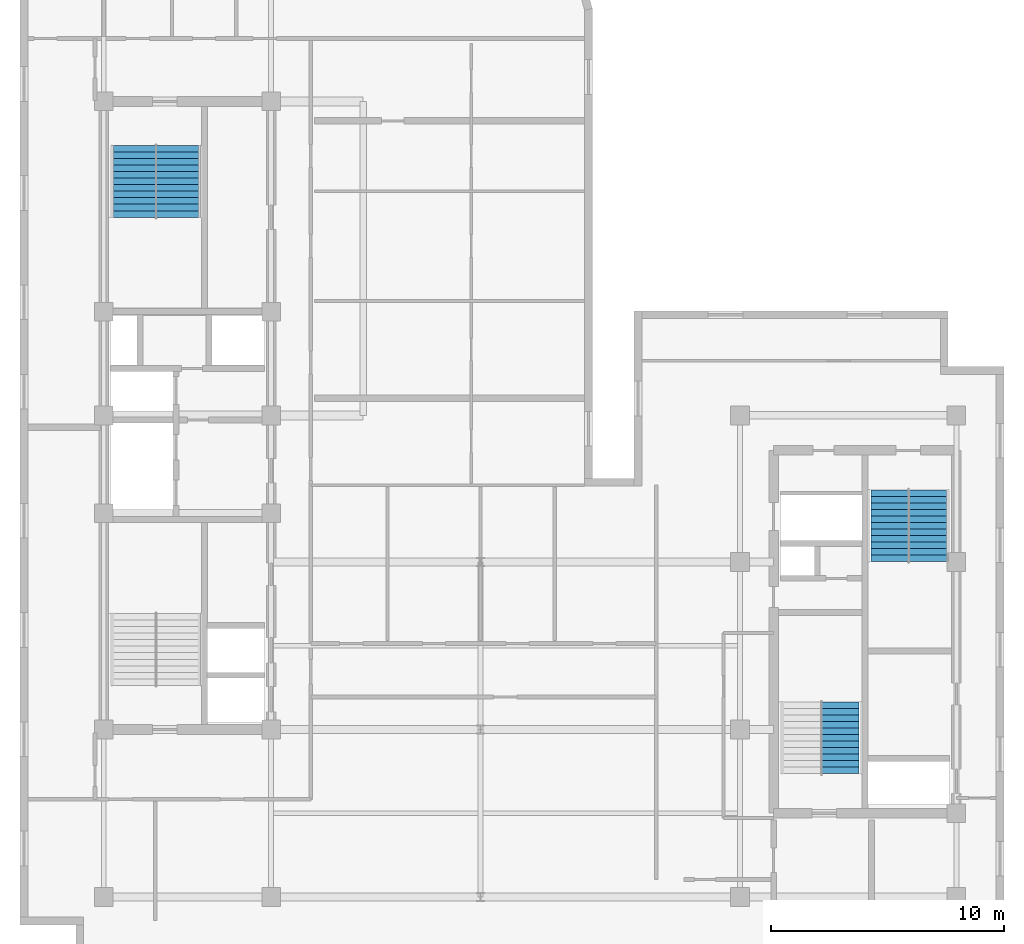
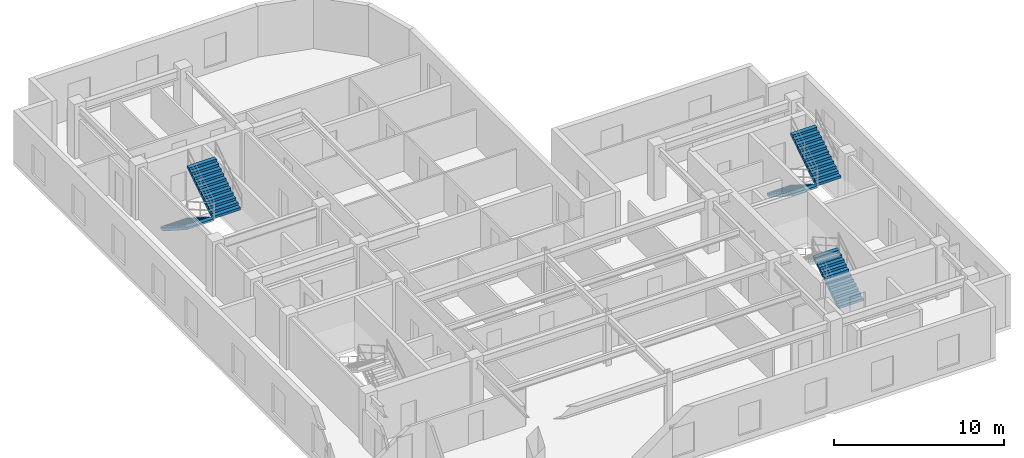
# One storey, part 7 of 10: 5 stair flights, 3 elements without a shape of their own.
"""IFC4 building model written with IfcOpenShell, lengths in metres."""

import ifcopenshell
import ifcopenshell.guid

model = None  # the IFC model being written
_history = None  # IfcOwnerHistory: only IFC2X3 demands one
_inside = {}  # id of a spatial element -> (the spatial element, [elements in it])
_under = {}  # id of a project, library or spatial element -> (it, [spatial elements below it])
_declared = {}  # id of a project -> (the project, [libraries it declares])
_typed = {}  # id of a type object -> (the type object, [elements of that type])
_made_of = {}  # id of a material, layer set ... -> (it, [elements and type objects made of it])


def new_model(schema):
    """Start an empty IFC model of exactly this schema.

    Asked for "IFC4X3", IfcOpenShell would pick the latest addendum, in which some entities
    have other attributes; the version numbers below select the first issue.
    IFC2X3 requires an IfcOwnerHistory on every rooted entity: one is made here for all.
    """
    global model, _history
    if schema == "IFC4X3":
        model = ifcopenshell.file(schema_version=(4, 3, 0, 0))
    else:
        model = ifcopenshell.file(schema=schema)
    _inside.clear()
    _under.clear()
    _declared.clear()
    _typed.clear()
    _made_of.clear()
    _history = None
    if model.schema == "IFC2X3":
        org = make("IfcOrganization", Name="unknown")
        user = make(
            "IfcPersonAndOrganization",
            ThePerson=make("IfcPerson", FamilyName="unknown"),
            TheOrganization=org,
        )
        app = make(
            "IfcApplication",
            ApplicationDeveloper=org,
            Version="unknown",
            ApplicationFullName="unknown",
            ApplicationIdentifier="unknown",
        )
        _history = make(
            "IfcOwnerHistory",
            OwningUser=user,
            OwningApplication=app,
            ChangeAction="ADDED",
            CreationDate=0,
        )
    return model


def make(cls, **values):
    """One entity of the class cls with the attributes given. An attribute that is None is left unset."""
    return model.create_entity(
        cls, **{name: value for name, value in values.items() if value is not None}
    )


def entity(cls, *values):
    """Any entity or typed value of the class cls, its attributes in the order of the schema. None: left unset."""
    e = model.create_entity(cls)
    for i, value in enumerate(values):
        if value is not None:
            e[i] = value
    return e


def rooted(cls, **values):
    """An entity with a GlobalId (a new one), such as an element, a storey or a relation."""
    return make(cls, GlobalId=ifcopenshell.guid.new(), OwnerHistory=_history, **values)


def si_unit(unit_type, name, prefix=None):
    """IfcSIUnit, for example si_unit("LENGTHUNIT", "METRE", prefix="MILLI")."""
    return make("IfcSIUnit", UnitType=unit_type, Prefix=prefix, Name=name)


def converted_unit(unit_type, name, factor, base, dimensions=None, offset=None):
    """IfcConversionBasedUnit, such as the inch: factor (a typed value) times the base unit."""
    return make(
        "IfcConversionBasedUnit"
        if offset is None
        else "IfcConversionBasedUnitWithOffset",
        ConversionOffset=offset,
        Dimensions=None
        if dimensions is None
        else entity("IfcDimensionalExponents", *dimensions),
        UnitType=unit_type,
        Name=name,
        ConversionFactor=make(
            "IfcMeasureWithUnit", ValueComponent=factor, UnitComponent=base
        ),
    )


def assignment(units):
    """IfcUnitAssignment: the units of a project."""
    return None if units is None else make("IfcUnitAssignment", Units=units)


def point(xyz):
    """IfcCartesianPoint."""
    return None if xyz is None else make("IfcCartesianPoint", Coordinates=xyz)


def direction(xyz):
    """IfcDirection."""
    return None if xyz is None else make("IfcDirection", DirectionRatios=xyz)


def frame(location, z_axis=None, x_axis=None):
    """IfcAxis2Placement3D, a coordinate frame: its origin and axes. An axis left out is left unset."""
    return make(
        "IfcAxis2Placement3D",
        Location=point(location),
        Axis=direction(z_axis),
        RefDirection=direction(x_axis),
    )


def origin_with_axes():
    """The frame at (0, 0, 0) with the z axis (0, 0, 1) and the x axis (1, 0, 0) written out."""
    return frame((0.0, 0.0, 0.0), z_axis=(0.0, 0.0, 1.0), x_axis=(1.0, 0.0, 0.0))


def place(relative_to, where):
    """IfcLocalPlacement: puts the frame where relative to a parent placement (None: the world)."""
    return make(
        "IfcLocalPlacement", PlacementRelTo=relative_to, RelativePlacement=where
    )


def context(
    kind, dimensions, precision=None, world=None, true_north=None, identifier=None
):
    """IfcGeometricRepresentationContext, for example the 3D "Model" context."""
    return make(
        "IfcGeometricRepresentationContext",
        ContextIdentifier=identifier,
        ContextType=kind,
        CoordinateSpaceDimension=dimensions,
        Precision=precision,
        WorldCoordinateSystem=world,
        TrueNorth=true_north,
    )


def subcontext(parent, identifier, kind, view, scale=None):
    """IfcGeometricRepresentationSubContext, for example "Body" below "Model"."""
    return make(
        "IfcGeometricRepresentationSubContext",
        ContextIdentifier=identifier,
        ContextType=kind,
        ParentContext=parent,
        TargetScale=scale,
        TargetView=view,
    )


def project(units=None, contexts=None):
    """IfcProject with its units and contexts."""
    return rooted(
        "IfcProject",
        Name="project",
        RepresentationContexts=contexts,
        UnitsInContext=assignment(units),
    )


def spatial(cls, under=None, at=None, **own):
    """A site, building, storey or space (cls), placed at a placement, below another one or the project."""
    s = rooted(cls, ObjectPlacement=at, **own)
    if under is not None:
        _under.setdefault(under.id(), (under, []))[1].append(s)
    return s


def polyline(points):
    """IfcPolyline through the points."""
    return make("IfcPolyline", Points=[point(p) for p in points])


def outline(outer, holes=None, kind="AREA"):
    """IfcArbitraryClosedProfileDef: a profile drawn as a closed curve; with holes, ...WithVoids."""
    if holes is None:
        return make("IfcArbitraryClosedProfileDef", ProfileType=kind, OuterCurve=outer)
    return make(
        "IfcArbitraryProfileDefWithVoids",
        ProfileType=kind,
        OuterCurve=outer,
        InnerCurves=holes,
    )


def extrude(swept, where, along, depth):
    """IfcExtrudedAreaSolid: the profile swept, set in the frame where, extruded along a direction by depth."""
    return make(
        "IfcExtrudedAreaSolid",
        SweptArea=swept,
        Position=where,
        ExtrudedDirection=direction(along),
        Depth=depth,
    )


def shape(context_of_items, identifier, shape_type, items):
    """IfcShapeRepresentation: the items that make up one representation, for example the "Body"."""
    return make(
        "IfcShapeRepresentation",
        ContextOfItems=context_of_items,
        RepresentationIdentifier=identifier,
        RepresentationType=shape_type,
        Items=items,
    )


def material(Name=None, Category=None):
    """IfcMaterial."""
    return make("IfcMaterial", Name=Name, Category=Category)


def made_of(thing, what):
    """Note that an element or type object is made of a material, layer set ...; save() writes the relation."""
    if what is not None:
        _made_of.setdefault(what.id(), (what, []))[1].append(thing)
    return thing


def type_object(cls, material=None, **own):
    """A type object (cls), such as IfcWallType, which elements share."""
    return made_of(rooted(cls, **own), material)


def element(
    cls,
    number,
    at=None,
    inside=None,
    cuts=None,
    type_object=None,
    material=None,
    context=None,
    identifier="Body",
    shape_type=None,
    held_by="IfcProductDefinitionShape",
    body=None,
    shapes=None,
    **own,
):
    """One element of the class cls, such as IfcWall. Its Tag is "e" and its number.

    at: its placement. inside: the storey or other place that contains it. cuts: it is an
    opening in that element (IfcRelVoidsElement). A single representation is given by context,
    identifier, shape_type and body (its items); several are given by shapes. held_by: the class
    of the entity that holds the representations. save() writes the other relations.
    """
    e = rooted(cls, Tag="e%d" % number, ObjectPlacement=at, **own)
    if body is not None:
        shapes = [shape(context, identifier, shape_type, body)]
    if shapes is not None:
        e.Representation = make(held_by, Representations=shapes)
    if inside is not None:
        _inside.setdefault(inside.id(), (inside, []))[1].append(e)
    if cuts is not None:
        rooted(
            "IfcRelVoidsElement", RelatingBuildingElement=cuts, RelatedOpeningElement=e
        )
    if type_object is not None:
        _typed.setdefault(type_object.id(), (type_object, []))[1].append(e)
    return made_of(e, material)


def aggregate(whole, parts):
    """IfcRelAggregates: a whole, such as a stair, and the parts it consists of."""
    return rooted("IfcRelAggregates", RelatingObject=whole, RelatedObjects=parts)


def save(model, path):
    """Write the relations noted so far, then the file.

    IfcRelAggregates (storeys below a building ...), IfcRelContainedInSpatialStructure (elements
    in a storey), IfcRelDefinesByType, IfcRelAssociatesMaterial and IfcRelDeclares: one each for
    every whole, place, type object, material and project.
    """
    for whole, parts in _under.values():
        aggregate(whole, parts)
    for where, things in _inside.values():
        rooted(
            "IfcRelContainedInSpatialStructure",
            RelatedElements=things,
            RelatingStructure=where,
        )
    for kind, things in _typed.values():
        rooted("IfcRelDefinesByType", RelatedObjects=things, RelatingType=kind)
    for what, things in _made_of.values():
        rooted("IfcRelAssociatesMaterial", RelatedObjects=things, RelatingMaterial=what)
    for by, libraries in _declared.values():
        rooted("IfcRelDeclares", RelatingContext=by, RelatedDefinitions=libraries)
    model.write(path)


model = new_model("IFC4")

# Units and contexts
model_context = context("Model", 3, precision=1e-05, world=origin_with_axes(), true_north=direction((0.0, 1.0)))
body_context = subcontext(model_context, "Body", "Model", "MODEL_VIEW")
ifc_project = project(units=[si_unit("LENGTHUNIT", "METRE"), si_unit("AREAUNIT", "SQUARE_METRE"), si_unit("VOLUMEUNIT", "CUBIC_METRE"), converted_unit("PLANEANGLEUNIT", "DEGREE", entity("IfcPlaneAngleMeasure", 0.017453292519943295), si_unit("PLANEANGLEUNIT", "RADIAN"), dimensions=[0, 0, 0, 0, 0, 0, 0]), si_unit("MASSUNIT", "GRAM", prefix="KILO"), si_unit("THERMODYNAMICTEMPERATUREUNIT", "KELVIN")], contexts=[model_context])

# Site, building, storey
site_placement = place(None, origin_with_axes())
site = spatial("IfcSite", under=ifc_project, at=site_placement, CompositionType="ELEMENT")
building_placement = place(site_placement, origin_with_axes())
building = spatial("IfcBuilding", under=site, at=building_placement, Name="Varnlund Millrace Tower", CompositionType="ELEMENT")
storey_placement = place(building_placement, frame((0.0, 0.0, 264.6), z_axis=(0.0, 0.0, 1.0), x_axis=(1.0, 0.0, 0.0)))
storey = spatial("IfcBuildingStorey", under=building, at=storey_placement, Name="L65", CompositionType="ELEMENT", Elevation=264.6)

# Stair, stair flight
ifc_material_1 = material(Name="Concrete C50/60", Category="concrete")
stair_type_1 = type_object("IfcStairType", Name="Type-Stair-Dogleg-165-390", PredefinedType="HALF_TURN_STAIR", material=ifc_material_1)
stair_1_placement = place(storey_placement, origin_with_axes())
stair_1 = element("IfcStair", 1, at=stair_1_placement, inside=storey, type_object=stair_type_1, Name="Type-Stair-Dogleg-165-390", PredefinedType="HALF_TURN_STAIR")
ifc_material_2 = material(Name="Precast concrete C50/60", Category="concrete")
stair_flight_type_1 = type_object("IfcStairFlightType", Name="Type-Dogleg-Run-165-390", PredefinedType="STRAIGHT", material=ifc_material_2)
stair_flight_1_placement = place(storey_placement, frame((42.225, 8.9, 0.0), z_axis=(1.0, 0.0, 0.0), x_axis=(0.0, 1.0, 0.0)))
stair_flight_1 = element("IfcStairFlight", 2, at=stair_flight_1_placement, type_object=stair_flight_type_1, Name="ST-B1 flight 1", NumberOfRisers=11, NumberOfTreads=11, PredefinedType="STRAIGHT", RiserHeight=0.177273, TreadLength=0.28, context=body_context, shape_type="SweptSolid", body=[
    extrude(outline(polyline([(0.0, 0.0), (0.0, 0.177273), (0.28, 0.177273), (0.28, 0.354545), (0.56, 0.354545), (0.56, 0.531818), (0.84, 0.531818), (0.84, 0.709091), (1.12, 0.709091), (1.12, 0.886364), (1.4, 0.886364), (1.4, 1.063636), (1.68, 1.063636), (1.68, 1.240909), (1.96, 1.240909), (1.96, 1.418182), (2.24, 1.418182), (2.24, 1.595454), (2.52, 1.595454), (2.52, 1.772727), (2.8, 1.772727), (2.8, 1.95), (3.08, 1.95), (3.08, 1.8), (0.28, 0.0), (0.0, 0.0)])), origin_with_axes(), (0.0, 0.0, 1.0), 1.65),
])
aggregate(stair_1, [stair_flight_1])

# Stair, stair flights
stair_2_placement = place(storey_placement, origin_with_axes())
stair_2 = element("IfcStair", 3, at=stair_2_placement, inside=storey, type_object=stair_type_1, Name="Type-Stair-Dogleg-165-390", PredefinedType="HALF_TURN_STAIR")
stair_flight_2_placement = place(storey_placement, frame((46.025, 21.1, 0.0), z_axis=(-1.0, 0.0, 0.0), x_axis=(0.0, -1.0, 0.0)))
stair_flight_2 = element("IfcStairFlight", 4, at=stair_flight_2_placement, type_object=stair_flight_type_1, Name="ST-B2 flight 1", NumberOfRisers=11, NumberOfTreads=11, PredefinedType="STRAIGHT", RiserHeight=0.177273, TreadLength=0.28, context=body_context, shape_type="SweptSolid", body=[
    extrude(outline(polyline([(0.0, 0.0), (0.0, 0.177273), (0.28, 0.177273), (0.28, 0.354545), (0.56, 0.354545), (0.56, 0.531818), (0.84, 0.531818), (0.84, 0.709091), (1.12, 0.709091), (1.12, 0.886364), (1.4, 0.886364), (1.4, 1.063636), (1.68, 1.063636), (1.68, 1.240909), (1.96, 1.240909), (1.96, 1.418182), (2.24, 1.418182), (2.24, 1.595454), (2.52, 1.595454), (2.52, 1.772727), (2.8, 1.772727), (2.8, 1.95), (3.08, 1.95), (3.08, 1.8), (0.28, 0.0), (0.0, 0.0)])), origin_with_axes(), (0.0, 0.0, 1.0), 1.65),
])
stair_flight_3_placement = place(storey_placement, frame((45.975, 18.02, 1.95), z_axis=(1.0, 0.0, 0.0), x_axis=(0.0, 1.0, 0.0)))
stair_flight_3 = element("IfcStairFlight", 5, at=stair_flight_3_placement, type_object=stair_flight_type_1, Name="ST-B2 flight 2", NumberOfRisers=11, NumberOfTreads=11, PredefinedType="STRAIGHT", RiserHeight=0.177273, TreadLength=0.28, context=body_context, shape_type="SweptSolid", body=[
    extrude(outline(polyline([(0.0, 0.0), (0.0, 0.177273), (0.28, 0.177273), (0.28, 0.354545), (0.56, 0.354545), (0.56, 0.531818), (0.84, 0.531818), (0.84, 0.709091), (1.12, 0.709091), (1.12, 0.886364), (1.4, 0.886364), (1.4, 1.063636), (1.68, 1.063636), (1.68, 1.240909), (1.96, 1.240909), (1.96, 1.418182), (2.24, 1.418182), (2.24, 1.595454), (2.52, 1.595454), (2.52, 1.772727), (2.8, 1.772727), (2.8, 1.95), (3.08, 1.95), (3.08, 1.8), (0.28, 0.0), (0.0, 0.0)])), origin_with_axes(), (0.0, 0.0, 1.0), 1.65),
])
aggregate(stair_2, [stair_flight_2, stair_flight_3])

stair_type_2 = type_object("IfcStairType", Name="Type-Stair-Dogleg-185-390", PredefinedType="HALF_TURN_STAIR", material=ifc_material_1)
stair_3_placement = place(storey_placement, origin_with_axes())
stair_3 = element("IfcStair", 6, at=stair_3_placement, inside=storey, type_object=stair_type_2, Name="Type-Stair-Dogleg-185-390", PredefinedType="HALF_TURN_STAIR")
stair_flight_type_2 = type_object("IfcStairFlightType", Name="Type-Dogleg-Run-185-390", PredefinedType="STRAIGHT", material=ifc_material_2)
stair_flight_4_placement = place(storey_placement, frame((13.675, 35.9, 0.0), z_axis=(-1.0, 0.0, 0.0), x_axis=(0.0, -1.0, 0.0)))
stair_flight_4 = element("IfcStairFlight", 7, at=stair_flight_4_placement, type_object=stair_flight_type_2, Name="ST-A2 flight 1", NumberOfRisers=11, NumberOfTreads=11, PredefinedType="STRAIGHT", RiserHeight=0.177273, TreadLength=0.28, context=body_context, shape_type="SweptSolid", body=[
    extrude(outline(polyline([(0.0, 0.0), (0.0, 0.177273), (0.28, 0.177273), (0.28, 0.354545), (0.56, 0.354545), (0.56, 0.531818), (0.84, 0.531818), (0.84, 0.709091), (1.12, 0.709091), (1.12, 0.886364), (1.4, 0.886364), (1.4, 1.063636), (1.68, 1.063636), (1.68, 1.240909), (1.96, 1.240909), (1.96, 1.418182), (2.24, 1.418182), (2.24, 1.595454), (2.52, 1.595454), (2.52, 1.772727), (2.8, 1.772727), (2.8, 1.95), (3.08, 1.95), (3.08, 1.8), (0.28, 0.0), (0.0, 0.0)])), origin_with_axes(), (0.0, 0.0, 1.0), 1.85),
])
stair_flight_5_placement = place(storey_placement, frame((13.625, 32.82, 1.95), z_axis=(1.0, 0.0, 0.0), x_axis=(0.0, 1.0, 0.0)))
stair_flight_5 = element("IfcStairFlight", 8, at=stair_flight_5_placement, type_object=stair_flight_type_2, Name="ST-A2 flight 2", NumberOfRisers=11, NumberOfTreads=11, PredefinedType="STRAIGHT", RiserHeight=0.177273, TreadLength=0.28, context=body_context, shape_type="SweptSolid", body=[
    extrude(outline(polyline([(0.0, 0.0), (0.0, 0.177273), (0.28, 0.177273), (0.28, 0.354545), (0.56, 0.354545), (0.56, 0.531818), (0.84, 0.531818), (0.84, 0.709091), (1.12, 0.709091), (1.12, 0.886364), (1.4, 0.886364), (1.4, 1.063636), (1.68, 1.063636), (1.68, 1.240909), (1.96, 1.240909), (1.96, 1.418182), (2.24, 1.418182), (2.24, 1.595454), (2.52, 1.595454), (2.52, 1.772727), (2.8, 1.772727), (2.8, 1.95), (3.08, 1.95), (3.08, 1.8), (0.28, 0.0), (0.0, 0.0)])), origin_with_axes(), (0.0, 0.0, 1.0), 1.85),
])
aggregate(stair_3, [stair_flight_4, stair_flight_5])

save(model, "model.ifc")
